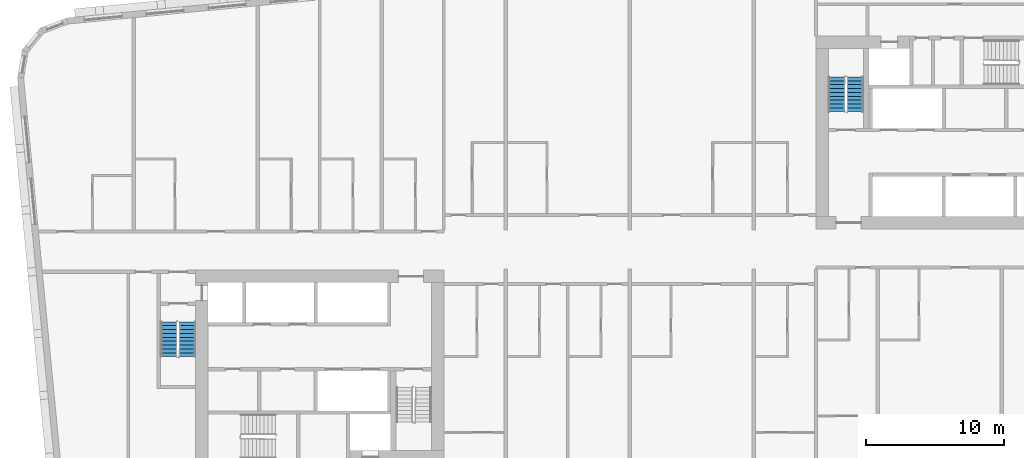
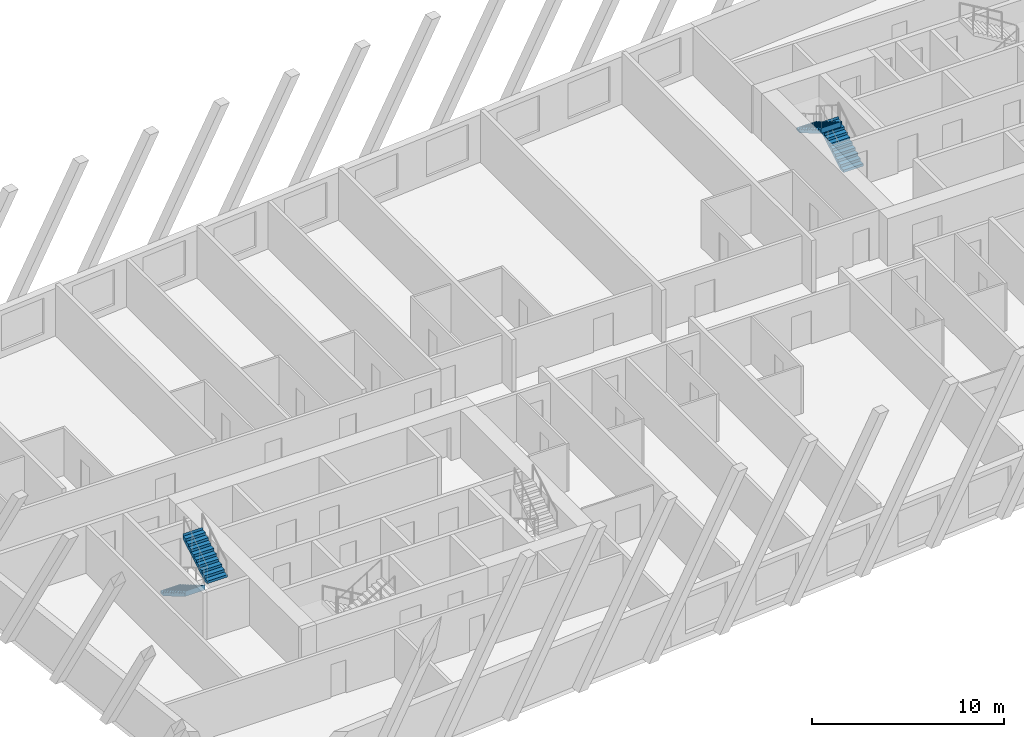
# One storey, part 10 of 13: 4 stair flights, 2 elements without a shape of their own.
"""IFC4 building model written with IfcOpenShell, lengths in metres."""

from ifc_helpers import new_model, si_unit, direction, frame, origin, place, context, subcontext, project, spatial, faceted_brep, material, type_object, element, aggregate, save


model = new_model("IFC4")

# Units and contexts
model_context = context("Model", 3, precision=1e-05, world=origin(), true_north=direction((0.0, 1.0)))
body_context = subcontext(model_context, "Body", "Model", "MODEL_VIEW")
ifc_project = project(units=[si_unit("LENGTHUNIT", "METRE"), si_unit("AREAUNIT", "SQUARE_METRE"), si_unit("VOLUMEUNIT", "CUBIC_METRE"), si_unit("PLANEANGLEUNIT", "RADIAN"), si_unit("MASSUNIT", "GRAM", prefix="KILO")], contexts=[model_context])

# Site, building, storey
site_placement = place(None, origin())
site = spatial("IfcSite", under=ifc_project, at=site_placement, CompositionType="ELEMENT")
building_placement = place(site_placement, origin())
building = spatial("IfcBuilding", under=site, at=building_placement, Name="Kajstack Hotel Tower", CompositionType="ELEMENT")
storey_placement = place(building_placement, frame((0.0, 0.0, 176.800048828125)))
storey = spatial("IfcBuildingStorey", under=building, at=storey_placement, Name="L41", CompositionType="ELEMENT", Elevation=176.800048828125)

# Stair, stair flights
ifc_material = material(Name="Concrete C40/50", Category="concrete")
stair_type = type_object("IfcStairType", Name="Exit stair 1200", PredefinedType="HALF_TURN_STAIR", material=ifc_material)
stair_1_placement = place(storey_placement, origin())
stair_1 = element("IfcStair", 1, at=stair_1_placement, inside=storey, type_object=stair_type, Name="L41 stair W1", PredefinedType="HALF_TURN_STAIR")
stair_flight_type = type_object("IfcStairFlightType", Name="Exit stair flight 1200", PredefinedType="STRAIGHT", material=ifc_material)
stair_flight_1_placement = place(storey_placement, frame((-33.449951171875, -5.25, 0.0), z_axis=(0.0, 0.0, 1.0), x_axis=(0.0, -1.0, 0.0)))
stair_flight_1 = element("IfcStairFlight", 2, at=stair_flight_1_placement, type_object=stair_flight_type, Name="W1 flight 1", NumberOfRisers=10, NumberOfTreads=9, PredefinedType="STRAIGHT", RiserHeight=0.165, TreadLength=0.28, context=body_context, shape_type="Brep", body=[
    faceted_brep([(0.295654296875, -0.60009765625, 0.0), (2.5205078125, -0.60009765625, 1.31103515625), (2.5205078125, -0.60009765625, 1.64990234375), (2.52001953125, -0.60009765625, 1.64990234375), (2.52001953125, -0.60009765625, 1.485107421875), (2.239990234375, -0.60009765625, 1.485107421875), (2.239990234375, -0.60009765625, 1.320068359375), (1.9599609375, -0.60009765625, 1.320068359375), (1.9599609375, -0.60009765625, 1.155029296875), (1.679931640625, -0.60009765625, 1.155029296875), (1.679931640625, -0.60009765625, 0.989990234375), (1.39990234375, -0.60009765625, 0.989990234375), (1.39990234375, -0.60009765625, 0.824951171875), (1.1201171875, -0.60009765625, 0.824951171875), (1.1201171875, -0.60009765625, 0.659912109375), (0.840087890625, -0.60009765625, 0.659912109375), (0.840087890625, -0.60009765625, 0.4951171875), (0.56005859375, -0.60009765625, 0.4951171875), (0.56005859375, -0.60009765625, 0.330078125), (0.280029296875, -0.60009765625, 0.330078125), (0.280029296875, -0.60009765625, 0.1650390625), (-0.00048828125, -0.60009765625, 0.1650390625), (-0.00048828125, -0.60009765625, 0.0), (-0.00048828125, 0.60009765625, 0.0), (-0.00048828125, 0.60009765625, 0.1650390625), (0.280029296875, 0.60009765625, 0.1650390625), (0.280029296875, 0.60009765625, 0.330078125), (0.56005859375, 0.60009765625, 0.330078125), (0.56005859375, 0.60009765625, 0.4951171875), (0.840087890625, 0.60009765625, 0.4951171875), (0.840087890625, 0.60009765625, 0.659912109375), (1.1201171875, 0.60009765625, 0.659912109375), (1.1201171875, 0.60009765625, 0.824951171875), (1.39990234375, 0.60009765625, 0.824951171875), (1.39990234375, 0.60009765625, 0.989990234375), (1.679931640625, 0.60009765625, 0.989990234375), (1.679931640625, 0.60009765625, 1.155029296875), (1.9599609375, 0.60009765625, 1.155029296875), (1.9599609375, 0.60009765625, 1.320068359375), (2.239990234375, 0.60009765625, 1.320068359375), (2.239990234375, 0.60009765625, 1.485107421875), (2.52001953125, 0.60009765625, 1.485107421875), (2.52001953125, 0.60009765625, 1.64990234375), (2.5205078125, 0.60009765625, 1.64990234375), (2.5205078125, 0.60009765625, 1.31103515625), (0.295654296875, 0.60009765625, 0.0), (-0.00048828125, -0.300048828125, 0.1650390625), (-0.00048828125, 0.0, 0.1650390625), (-0.00048828125, 0.300048828125, 0.1650390625), (-0.00048828125, 0.300048828125, 0.0), (-0.00048828125, 0.0, 0.0), (-0.00048828125, -0.300048828125, 0.0), (0.280029296875, -0.300048828125, 0.1650390625), (0.280029296875, 0.0, 0.1650390625), (0.280029296875, 0.300048828125, 0.1650390625), (0.280029296875, -0.300048828125, 0.330078125), (0.280029296875, 0.0, 0.330078125), (0.280029296875, 0.300048828125, 0.330078125), (0.56005859375, -0.300048828125, 0.330078125), (0.56005859375, 0.0, 0.330078125), (0.56005859375, 0.300048828125, 0.330078125), (0.56005859375, -0.300048828125, 0.4951171875), (0.56005859375, 0.0, 0.4951171875), (0.56005859375, 0.300048828125, 0.4951171875), (0.840087890625, -0.300048828125, 0.4951171875), (0.840087890625, 0.0, 0.4951171875), (0.840087890625, 0.300048828125, 0.4951171875), (0.840087890625, -0.300048828125, 0.659912109375), (0.840087890625, 0.0, 0.659912109375), (0.840087890625, 0.300048828125, 0.659912109375), (1.1201171875, -0.300048828125, 0.659912109375), (1.1201171875, 0.0, 0.659912109375), (1.1201171875, 0.300048828125, 0.659912109375), (1.1201171875, -0.300048828125, 0.824951171875), (1.1201171875, 0.0, 0.824951171875), (1.1201171875, 0.300048828125, 0.824951171875), (1.39990234375, -0.300048828125, 0.824951171875), (1.39990234375, 0.0, 0.824951171875), (1.39990234375, 0.300048828125, 0.824951171875), (1.39990234375, -0.300048828125, 0.989990234375), (1.39990234375, 0.0, 0.989990234375), (1.39990234375, 0.300048828125, 0.989990234375), (1.679931640625, -0.300048828125, 0.989990234375), (1.679931640625, 0.0, 0.989990234375), (1.679931640625, 0.300048828125, 0.989990234375), (1.679931640625, -0.300048828125, 1.155029296875), (1.679931640625, 0.0, 1.155029296875), (1.679931640625, 0.300048828125, 1.155029296875), (1.9599609375, -0.300048828125, 1.155029296875), (1.9599609375, 0.0, 1.155029296875), (1.9599609375, 0.300048828125, 1.155029296875), (1.9599609375, -0.300048828125, 1.320068359375), (1.9599609375, 0.0, 1.320068359375), (1.9599609375, 0.300048828125, 1.320068359375), (2.239990234375, -0.300048828125, 1.320068359375), (2.239990234375, 0.0, 1.320068359375), (2.239990234375, 0.300048828125, 1.320068359375), (2.239990234375, -0.300048828125, 1.485107421875), (2.239990234375, 0.0, 1.485107421875), (2.239990234375, 0.300048828125, 1.485107421875), (2.52001953125, -0.300048828125, 1.485107421875), (2.52001953125, 0.0, 1.485107421875), (2.52001953125, 0.300048828125, 1.485107421875), (2.52001953125, -0.300048828125, 1.64990234375), (2.52001953125, 0.0, 1.64990234375), (2.52001953125, 0.300048828125, 1.64990234375), (2.5205078125, -0.300048828125, 1.64990234375), (2.5205078125, 0.0, 1.64990234375), (2.5205078125, 0.300048828125, 1.64990234375), (2.5205078125, -0.300048828125, 1.31103515625), (2.5205078125, 0.0, 1.31103515625), (2.5205078125, 0.300048828125, 1.31103515625), (0.295654296875, -0.300048828125, 0.0), (0.295654296875, 0.0, 0.0), (0.295654296875, 0.300048828125, 0.0)], [[[0, 1, 2, 3, 4, 5, 6, 7, 8, 9, 10, 11, 12, 13, 14, 15, 16, 17, 18, 19, 20, 21, 22]], [[23, 24, 25, 26, 27, 28, 29, 30, 31, 32, 33, 34, 35, 36, 37, 38, 39, 40, 41, 42, 43, 44, 45]], [[21, 46, 47, 48, 24, 23, 49, 50, 51, 22]], [[20, 52, 53, 54, 25, 24, 48, 47, 46, 21]], [[19, 55, 56, 57, 26, 25, 54, 53, 52, 20]], [[18, 58, 59, 60, 27, 26, 57, 56, 55, 19]], [[17, 61, 62, 63, 28, 27, 60, 59, 58, 18]], [[16, 64, 65, 66, 29, 28, 63, 62, 61, 17]], [[15, 67, 68, 69, 30, 29, 66, 65, 64, 16]], [[14, 70, 71, 72, 31, 30, 69, 68, 67, 15]], [[13, 73, 74, 75, 32, 31, 72, 71, 70, 14]], [[12, 76, 77, 78, 33, 32, 75, 74, 73, 13]], [[11, 79, 80, 81, 34, 33, 78, 77, 76, 12]], [[10, 82, 83, 84, 35, 34, 81, 80, 79, 11]], [[9, 85, 86, 87, 36, 35, 84, 83, 82, 10]], [[8, 88, 89, 90, 37, 36, 87, 86, 85, 9]], [[7, 91, 92, 93, 38, 37, 90, 89, 88, 8]], [[6, 94, 95, 96, 39, 38, 93, 92, 91, 7]], [[5, 97, 98, 99, 40, 39, 96, 95, 94, 6]], [[4, 100, 101, 102, 41, 40, 99, 98, 97, 5]], [[3, 103, 104, 105, 42, 41, 102, 101, 100, 4]], [[2, 106, 107, 108, 43, 42, 105, 104, 103, 3]], [[1, 109, 110, 111, 44, 43, 108, 107, 106, 2]], [[0, 112, 113, 114, 45, 44, 111, 110, 109, 1]], [[22, 51, 50, 49, 23, 45, 114, 113, 112, 0]]]),
])
stair_flight_2_placement = place(storey_placement, frame((-32.10009765625, -7.77001953125, 1.64990234375), z_axis=(0.0, 0.0, 1.0), x_axis=(0.0, 1.0, 0.0)))
stair_flight_2 = element("IfcStairFlight", 3, at=stair_flight_2_placement, type_object=stair_flight_type, Name="W1 flight 2", NumberOfRisers=10, NumberOfTreads=9, PredefinedType="STRAIGHT", RiserHeight=0.165, TreadLength=0.28, context=body_context, shape_type="Brep", body=[
    faceted_brep([(0.295654296875, -0.60009765625, 0.0), (2.5205078125, -0.60009765625, 1.31103515625), (2.5205078125, -0.60009765625, 1.64990234375), (2.52001953125, -0.60009765625, 1.64990234375), (2.52001953125, -0.60009765625, 1.485107421875), (2.239990234375, -0.60009765625, 1.485107421875), (2.239990234375, -0.60009765625, 1.320068359375), (1.9599609375, -0.60009765625, 1.320068359375), (1.9599609375, -0.60009765625, 1.155029296875), (1.679931640625, -0.60009765625, 1.155029296875), (1.679931640625, -0.60009765625, 0.989990234375), (1.39990234375, -0.60009765625, 0.989990234375), (1.39990234375, -0.60009765625, 0.824951171875), (1.1201171875, -0.60009765625, 0.824951171875), (1.1201171875, -0.60009765625, 0.659912109375), (0.840087890625, -0.60009765625, 0.659912109375), (0.840087890625, -0.60009765625, 0.4951171875), (0.56005859375, -0.60009765625, 0.4951171875), (0.56005859375, -0.60009765625, 0.330078125), (0.280029296875, -0.60009765625, 0.330078125), (0.280029296875, -0.60009765625, 0.1650390625), (-0.00048828125, -0.60009765625, 0.1650390625), (-0.00048828125, -0.60009765625, 0.0), (-0.00048828125, 0.60009765625, 0.0), (-0.00048828125, 0.60009765625, 0.1650390625), (0.280029296875, 0.60009765625, 0.1650390625), (0.280029296875, 0.60009765625, 0.330078125), (0.56005859375, 0.60009765625, 0.330078125), (0.56005859375, 0.60009765625, 0.4951171875), (0.840087890625, 0.60009765625, 0.4951171875), (0.840087890625, 0.60009765625, 0.659912109375), (1.1201171875, 0.60009765625, 0.659912109375), (1.1201171875, 0.60009765625, 0.824951171875), (1.39990234375, 0.60009765625, 0.824951171875), (1.39990234375, 0.60009765625, 0.989990234375), (1.679931640625, 0.60009765625, 0.989990234375), (1.679931640625, 0.60009765625, 1.155029296875), (1.9599609375, 0.60009765625, 1.155029296875), (1.9599609375, 0.60009765625, 1.320068359375), (2.239990234375, 0.60009765625, 1.320068359375), (2.239990234375, 0.60009765625, 1.485107421875), (2.52001953125, 0.60009765625, 1.485107421875), (2.52001953125, 0.60009765625, 1.64990234375), (2.5205078125, 0.60009765625, 1.64990234375), (2.5205078125, 0.60009765625, 1.31103515625), (0.295654296875, 0.60009765625, 0.0), (-0.00048828125, -0.300048828125, 0.1650390625), (-0.00048828125, 0.0, 0.1650390625), (-0.00048828125, 0.300048828125, 0.1650390625), (-0.00048828125, 0.300048828125, 0.0), (-0.00048828125, 0.0, 0.0), (-0.00048828125, -0.300048828125, 0.0), (0.280029296875, -0.300048828125, 0.1650390625), (0.280029296875, 0.0, 0.1650390625), (0.280029296875, 0.300048828125, 0.1650390625), (0.280029296875, -0.300048828125, 0.330078125), (0.280029296875, 0.0, 0.330078125), (0.280029296875, 0.300048828125, 0.330078125), (0.56005859375, -0.300048828125, 0.330078125), (0.56005859375, 0.0, 0.330078125), (0.56005859375, 0.300048828125, 0.330078125), (0.56005859375, -0.300048828125, 0.4951171875), (0.56005859375, 0.0, 0.4951171875), (0.56005859375, 0.300048828125, 0.4951171875), (0.840087890625, -0.300048828125, 0.4951171875), (0.840087890625, 0.0, 0.4951171875), (0.840087890625, 0.300048828125, 0.4951171875), (0.840087890625, -0.300048828125, 0.659912109375), (0.840087890625, 0.0, 0.659912109375), (0.840087890625, 0.300048828125, 0.659912109375), (1.1201171875, -0.300048828125, 0.659912109375), (1.1201171875, 0.0, 0.659912109375), (1.1201171875, 0.300048828125, 0.659912109375), (1.1201171875, -0.300048828125, 0.824951171875), (1.1201171875, 0.0, 0.824951171875), (1.1201171875, 0.300048828125, 0.824951171875), (1.39990234375, -0.300048828125, 0.824951171875), (1.39990234375, 0.0, 0.824951171875), (1.39990234375, 0.300048828125, 0.824951171875), (1.39990234375, -0.300048828125, 0.989990234375), (1.39990234375, 0.0, 0.989990234375), (1.39990234375, 0.300048828125, 0.989990234375), (1.679931640625, -0.300048828125, 0.989990234375), (1.679931640625, 0.0, 0.989990234375), (1.679931640625, 0.300048828125, 0.989990234375), (1.679931640625, -0.300048828125, 1.155029296875), (1.679931640625, 0.0, 1.155029296875), (1.679931640625, 0.300048828125, 1.155029296875), (1.9599609375, -0.300048828125, 1.155029296875), (1.9599609375, 0.0, 1.155029296875), (1.9599609375, 0.300048828125, 1.155029296875), (1.9599609375, -0.300048828125, 1.320068359375), (1.9599609375, 0.0, 1.320068359375), (1.9599609375, 0.300048828125, 1.320068359375), (2.239990234375, -0.300048828125, 1.320068359375), (2.239990234375, 0.0, 1.320068359375), (2.239990234375, 0.300048828125, 1.320068359375), (2.239990234375, -0.300048828125, 1.485107421875), (2.239990234375, 0.0, 1.485107421875), (2.239990234375, 0.300048828125, 1.485107421875), (2.52001953125, -0.300048828125, 1.485107421875), (2.52001953125, 0.0, 1.485107421875), (2.52001953125, 0.300048828125, 1.485107421875), (2.52001953125, -0.300048828125, 1.64990234375), (2.52001953125, 0.0, 1.64990234375), (2.52001953125, 0.300048828125, 1.64990234375), (2.5205078125, -0.300048828125, 1.64990234375), (2.5205078125, 0.0, 1.64990234375), (2.5205078125, 0.300048828125, 1.64990234375), (2.5205078125, -0.300048828125, 1.31103515625), (2.5205078125, 0.0, 1.31103515625), (2.5205078125, 0.300048828125, 1.31103515625), (0.295654296875, -0.300048828125, 0.0), (0.295654296875, 0.0, 0.0), (0.295654296875, 0.300048828125, 0.0)], [[[0, 1, 2, 3, 4, 5, 6, 7, 8, 9, 10, 11, 12, 13, 14, 15, 16, 17, 18, 19, 20, 21, 22]], [[23, 24, 25, 26, 27, 28, 29, 30, 31, 32, 33, 34, 35, 36, 37, 38, 39, 40, 41, 42, 43, 44, 45]], [[21, 46, 47, 48, 24, 23, 49, 50, 51, 22]], [[20, 52, 53, 54, 25, 24, 48, 47, 46, 21]], [[19, 55, 56, 57, 26, 25, 54, 53, 52, 20]], [[18, 58, 59, 60, 27, 26, 57, 56, 55, 19]], [[17, 61, 62, 63, 28, 27, 60, 59, 58, 18]], [[16, 64, 65, 66, 29, 28, 63, 62, 61, 17]], [[15, 67, 68, 69, 30, 29, 66, 65, 64, 16]], [[14, 70, 71, 72, 31, 30, 69, 68, 67, 15]], [[13, 73, 74, 75, 32, 31, 72, 71, 70, 14]], [[12, 76, 77, 78, 33, 32, 75, 74, 73, 13]], [[11, 79, 80, 81, 34, 33, 78, 77, 76, 12]], [[10, 82, 83, 84, 35, 34, 81, 80, 79, 11]], [[9, 85, 86, 87, 36, 35, 84, 83, 82, 10]], [[8, 88, 89, 90, 37, 36, 87, 86, 85, 9]], [[7, 91, 92, 93, 38, 37, 90, 89, 88, 8]], [[6, 94, 95, 96, 39, 38, 93, 92, 91, 7]], [[5, 97, 98, 99, 40, 39, 96, 95, 94, 6]], [[4, 100, 101, 102, 41, 40, 99, 98, 97, 5]], [[3, 103, 104, 105, 42, 41, 102, 101, 100, 4]], [[2, 106, 107, 108, 43, 42, 105, 104, 103, 3]], [[1, 109, 110, 111, 44, 43, 108, 107, 106, 2]], [[0, 112, 113, 114, 45, 44, 111, 110, 109, 1]], [[22, 51, 50, 49, 23, 45, 114, 113, 112, 0]]]),
])
aggregate(stair_1, [stair_flight_1, stair_flight_2])

stair_2_placement = place(storey_placement, origin())
stair_2 = element("IfcStair", 4, at=stair_2_placement, inside=storey, type_object=stair_type, Name="L41 stair E2", PredefinedType="HALF_TURN_STAIR")
stair_flight_3_placement = place(storey_placement, frame((16.35009765625, 10.0, 0.0), z_axis=(0.0, 0.0, 1.0), x_axis=(0.0, 1.0, 0.0)))
stair_flight_3 = element("IfcStairFlight", 5, at=stair_flight_3_placement, type_object=stair_flight_type, Name="E2 flight 1", NumberOfRisers=10, NumberOfTreads=9, PredefinedType="STRAIGHT", RiserHeight=0.165, TreadLength=0.28, context=body_context, shape_type="Brep", body=[
    faceted_brep([(0.295654296875, -0.60009765625, 0.0), (2.5205078125, -0.60009765625, 1.31103515625), (2.5205078125, -0.60009765625, 1.64990234375), (2.52001953125, -0.60009765625, 1.64990234375), (2.52001953125, -0.60009765625, 1.485107421875), (2.239990234375, -0.60009765625, 1.485107421875), (2.239990234375, -0.60009765625, 1.320068359375), (1.9599609375, -0.60009765625, 1.320068359375), (1.9599609375, -0.60009765625, 1.155029296875), (1.679931640625, -0.60009765625, 1.155029296875), (1.679931640625, -0.60009765625, 0.989990234375), (1.39990234375, -0.60009765625, 0.989990234375), (1.39990234375, -0.60009765625, 0.824951171875), (1.1201171875, -0.60009765625, 0.824951171875), (1.1201171875, -0.60009765625, 0.659912109375), (0.840087890625, -0.60009765625, 0.659912109375), (0.840087890625, -0.60009765625, 0.4951171875), (0.56005859375, -0.60009765625, 0.4951171875), (0.56005859375, -0.60009765625, 0.330078125), (0.280029296875, -0.60009765625, 0.330078125), (0.280029296875, -0.60009765625, 0.1650390625), (-0.00048828125, -0.60009765625, 0.1650390625), (-0.00048828125, -0.60009765625, 0.0), (-0.00048828125, 0.60009765625, 0.0), (-0.00048828125, 0.60009765625, 0.1650390625), (0.280029296875, 0.60009765625, 0.1650390625), (0.280029296875, 0.60009765625, 0.330078125), (0.56005859375, 0.60009765625, 0.330078125), (0.56005859375, 0.60009765625, 0.4951171875), (0.840087890625, 0.60009765625, 0.4951171875), (0.840087890625, 0.60009765625, 0.659912109375), (1.1201171875, 0.60009765625, 0.659912109375), (1.1201171875, 0.60009765625, 0.824951171875), (1.39990234375, 0.60009765625, 0.824951171875), (1.39990234375, 0.60009765625, 0.989990234375), (1.679931640625, 0.60009765625, 0.989990234375), (1.679931640625, 0.60009765625, 1.155029296875), (1.9599609375, 0.60009765625, 1.155029296875), (1.9599609375, 0.60009765625, 1.320068359375), (2.239990234375, 0.60009765625, 1.320068359375), (2.239990234375, 0.60009765625, 1.485107421875), (2.52001953125, 0.60009765625, 1.485107421875), (2.52001953125, 0.60009765625, 1.64990234375), (2.5205078125, 0.60009765625, 1.64990234375), (2.5205078125, 0.60009765625, 1.31103515625), (0.295654296875, 0.60009765625, 0.0), (-0.00048828125, -0.300048828125, 0.1650390625), (-0.00048828125, 0.0, 0.1650390625), (-0.00048828125, 0.300048828125, 0.1650390625), (-0.00048828125, 0.300048828125, 0.0), (-0.00048828125, 0.0, 0.0), (-0.00048828125, -0.300048828125, 0.0), (0.280029296875, -0.300048828125, 0.1650390625), (0.280029296875, 0.0, 0.1650390625), (0.280029296875, 0.300048828125, 0.1650390625), (0.280029296875, -0.300048828125, 0.330078125), (0.280029296875, 0.0, 0.330078125), (0.280029296875, 0.300048828125, 0.330078125), (0.56005859375, -0.300048828125, 0.330078125), (0.56005859375, 0.0, 0.330078125), (0.56005859375, 0.300048828125, 0.330078125), (0.56005859375, -0.300048828125, 0.4951171875), (0.56005859375, 0.0, 0.4951171875), (0.56005859375, 0.300048828125, 0.4951171875), (0.840087890625, -0.300048828125, 0.4951171875), (0.840087890625, 0.0, 0.4951171875), (0.840087890625, 0.300048828125, 0.4951171875), (0.840087890625, -0.300048828125, 0.659912109375), (0.840087890625, 0.0, 0.659912109375), (0.840087890625, 0.300048828125, 0.659912109375), (1.1201171875, -0.300048828125, 0.659912109375), (1.1201171875, 0.0, 0.659912109375), (1.1201171875, 0.300048828125, 0.659912109375), (1.1201171875, -0.300048828125, 0.824951171875), (1.1201171875, 0.0, 0.824951171875), (1.1201171875, 0.300048828125, 0.824951171875), (1.39990234375, -0.300048828125, 0.824951171875), (1.39990234375, 0.0, 0.824951171875), (1.39990234375, 0.300048828125, 0.824951171875), (1.39990234375, -0.300048828125, 0.989990234375), (1.39990234375, 0.0, 0.989990234375), (1.39990234375, 0.300048828125, 0.989990234375), (1.679931640625, -0.300048828125, 0.989990234375), (1.679931640625, 0.0, 0.989990234375), (1.679931640625, 0.300048828125, 0.989990234375), (1.679931640625, -0.300048828125, 1.155029296875), (1.679931640625, 0.0, 1.155029296875), (1.679931640625, 0.300048828125, 1.155029296875), (1.9599609375, -0.300048828125, 1.155029296875), (1.9599609375, 0.0, 1.155029296875), (1.9599609375, 0.300048828125, 1.155029296875), (1.9599609375, -0.300048828125, 1.320068359375), (1.9599609375, 0.0, 1.320068359375), (1.9599609375, 0.300048828125, 1.320068359375), (2.239990234375, -0.300048828125, 1.320068359375), (2.239990234375, 0.0, 1.320068359375), (2.239990234375, 0.300048828125, 1.320068359375), (2.239990234375, -0.300048828125, 1.485107421875), (2.239990234375, 0.0, 1.485107421875), (2.239990234375, 0.300048828125, 1.485107421875), (2.52001953125, -0.300048828125, 1.485107421875), (2.52001953125, 0.0, 1.485107421875), (2.52001953125, 0.300048828125, 1.485107421875), (2.52001953125, -0.300048828125, 1.64990234375), (2.52001953125, 0.0, 1.64990234375), (2.52001953125, 0.300048828125, 1.64990234375), (2.5205078125, -0.300048828125, 1.64990234375), (2.5205078125, 0.0, 1.64990234375), (2.5205078125, 0.300048828125, 1.64990234375), (2.5205078125, -0.300048828125, 1.31103515625), (2.5205078125, 0.0, 1.31103515625), (2.5205078125, 0.300048828125, 1.31103515625), (0.295654296875, -0.300048828125, 0.0), (0.295654296875, 0.0, 0.0), (0.295654296875, 0.300048828125, 0.0)], [[[0, 1, 2, 3, 4, 5, 6, 7, 8, 9, 10, 11, 12, 13, 14, 15, 16, 17, 18, 19, 20, 21, 22]], [[23, 24, 25, 26, 27, 28, 29, 30, 31, 32, 33, 34, 35, 36, 37, 38, 39, 40, 41, 42, 43, 44, 45]], [[21, 46, 47, 48, 24, 23, 49, 50, 51, 22]], [[20, 52, 53, 54, 25, 24, 48, 47, 46, 21]], [[19, 55, 56, 57, 26, 25, 54, 53, 52, 20]], [[18, 58, 59, 60, 27, 26, 57, 56, 55, 19]], [[17, 61, 62, 63, 28, 27, 60, 59, 58, 18]], [[16, 64, 65, 66, 29, 28, 63, 62, 61, 17]], [[15, 67, 68, 69, 30, 29, 66, 65, 64, 16]], [[14, 70, 71, 72, 31, 30, 69, 68, 67, 15]], [[13, 73, 74, 75, 32, 31, 72, 71, 70, 14]], [[12, 76, 77, 78, 33, 32, 75, 74, 73, 13]], [[11, 79, 80, 81, 34, 33, 78, 77, 76, 12]], [[10, 82, 83, 84, 35, 34, 81, 80, 79, 11]], [[9, 85, 86, 87, 36, 35, 84, 83, 82, 10]], [[8, 88, 89, 90, 37, 36, 87, 86, 85, 9]], [[7, 91, 92, 93, 38, 37, 90, 89, 88, 8]], [[6, 94, 95, 96, 39, 38, 93, 92, 91, 7]], [[5, 97, 98, 99, 40, 39, 96, 95, 94, 6]], [[4, 100, 101, 102, 41, 40, 99, 98, 97, 5]], [[3, 103, 104, 105, 42, 41, 102, 101, 100, 4]], [[2, 106, 107, 108, 43, 42, 105, 104, 103, 3]], [[1, 109, 110, 111, 44, 43, 108, 107, 106, 2]], [[0, 112, 113, 114, 45, 44, 111, 110, 109, 1]], [[22, 51, 50, 49, 23, 45, 114, 113, 112, 0]]]),
])
stair_flight_4_placement = place(storey_placement, frame((15.0, 12.52001953125, 1.64990234375), z_axis=(0.0, 0.0, 1.0), x_axis=(0.0, -1.0, 0.0)))
stair_flight_4 = element("IfcStairFlight", 6, at=stair_flight_4_placement, type_object=stair_flight_type, Name="E2 flight 2", NumberOfRisers=10, NumberOfTreads=9, PredefinedType="STRAIGHT", RiserHeight=0.165, TreadLength=0.28, context=body_context, shape_type="Brep", body=[
    faceted_brep([(0.295654296875, -0.60009765625, 0.0), (2.5205078125, -0.60009765625, 1.31103515625), (2.5205078125, -0.60009765625, 1.64990234375), (2.52001953125, -0.60009765625, 1.64990234375), (2.52001953125, -0.60009765625, 1.485107421875), (2.239990234375, -0.60009765625, 1.485107421875), (2.239990234375, -0.60009765625, 1.320068359375), (1.9599609375, -0.60009765625, 1.320068359375), (1.9599609375, -0.60009765625, 1.155029296875), (1.679931640625, -0.60009765625, 1.155029296875), (1.679931640625, -0.60009765625, 0.989990234375), (1.39990234375, -0.60009765625, 0.989990234375), (1.39990234375, -0.60009765625, 0.824951171875), (1.1201171875, -0.60009765625, 0.824951171875), (1.1201171875, -0.60009765625, 0.659912109375), (0.840087890625, -0.60009765625, 0.659912109375), (0.840087890625, -0.60009765625, 0.4951171875), (0.56005859375, -0.60009765625, 0.4951171875), (0.56005859375, -0.60009765625, 0.330078125), (0.280029296875, -0.60009765625, 0.330078125), (0.280029296875, -0.60009765625, 0.1650390625), (-0.00048828125, -0.60009765625, 0.1650390625), (-0.00048828125, -0.60009765625, 0.0), (-0.00048828125, 0.60009765625, 0.0), (-0.00048828125, 0.60009765625, 0.1650390625), (0.280029296875, 0.60009765625, 0.1650390625), (0.280029296875, 0.60009765625, 0.330078125), (0.56005859375, 0.60009765625, 0.330078125), (0.56005859375, 0.60009765625, 0.4951171875), (0.840087890625, 0.60009765625, 0.4951171875), (0.840087890625, 0.60009765625, 0.659912109375), (1.1201171875, 0.60009765625, 0.659912109375), (1.1201171875, 0.60009765625, 0.824951171875), (1.39990234375, 0.60009765625, 0.824951171875), (1.39990234375, 0.60009765625, 0.989990234375), (1.679931640625, 0.60009765625, 0.989990234375), (1.679931640625, 0.60009765625, 1.155029296875), (1.9599609375, 0.60009765625, 1.155029296875), (1.9599609375, 0.60009765625, 1.320068359375), (2.239990234375, 0.60009765625, 1.320068359375), (2.239990234375, 0.60009765625, 1.485107421875), (2.52001953125, 0.60009765625, 1.485107421875), (2.52001953125, 0.60009765625, 1.64990234375), (2.5205078125, 0.60009765625, 1.64990234375), (2.5205078125, 0.60009765625, 1.31103515625), (0.295654296875, 0.60009765625, 0.0), (-0.00048828125, -0.300048828125, 0.1650390625), (-0.00048828125, 0.0, 0.1650390625), (-0.00048828125, 0.300048828125, 0.1650390625), (-0.00048828125, 0.300048828125, 0.0), (-0.00048828125, 0.0, 0.0), (-0.00048828125, -0.300048828125, 0.0), (0.280029296875, -0.300048828125, 0.1650390625), (0.280029296875, 0.0, 0.1650390625), (0.280029296875, 0.300048828125, 0.1650390625), (0.280029296875, -0.300048828125, 0.330078125), (0.280029296875, 0.0, 0.330078125), (0.280029296875, 0.300048828125, 0.330078125), (0.56005859375, -0.300048828125, 0.330078125), (0.56005859375, 0.0, 0.330078125), (0.56005859375, 0.300048828125, 0.330078125), (0.56005859375, -0.300048828125, 0.4951171875), (0.56005859375, 0.0, 0.4951171875), (0.56005859375, 0.300048828125, 0.4951171875), (0.840087890625, -0.300048828125, 0.4951171875), (0.840087890625, 0.0, 0.4951171875), (0.840087890625, 0.300048828125, 0.4951171875), (0.840087890625, -0.300048828125, 0.659912109375), (0.840087890625, 0.0, 0.659912109375), (0.840087890625, 0.300048828125, 0.659912109375), (1.1201171875, -0.300048828125, 0.659912109375), (1.1201171875, 0.0, 0.659912109375), (1.1201171875, 0.300048828125, 0.659912109375), (1.1201171875, -0.300048828125, 0.824951171875), (1.1201171875, 0.0, 0.824951171875), (1.1201171875, 0.300048828125, 0.824951171875), (1.39990234375, -0.300048828125, 0.824951171875), (1.39990234375, 0.0, 0.824951171875), (1.39990234375, 0.300048828125, 0.824951171875), (1.39990234375, -0.300048828125, 0.989990234375), (1.39990234375, 0.0, 0.989990234375), (1.39990234375, 0.300048828125, 0.989990234375), (1.679931640625, -0.300048828125, 0.989990234375), (1.679931640625, 0.0, 0.989990234375), (1.679931640625, 0.300048828125, 0.989990234375), (1.679931640625, -0.300048828125, 1.155029296875), (1.679931640625, 0.0, 1.155029296875), (1.679931640625, 0.300048828125, 1.155029296875), (1.9599609375, -0.300048828125, 1.155029296875), (1.9599609375, 0.0, 1.155029296875), (1.9599609375, 0.300048828125, 1.155029296875), (1.9599609375, -0.300048828125, 1.320068359375), (1.9599609375, 0.0, 1.320068359375), (1.9599609375, 0.300048828125, 1.320068359375), (2.239990234375, -0.300048828125, 1.320068359375), (2.239990234375, 0.0, 1.320068359375), (2.239990234375, 0.300048828125, 1.320068359375), (2.239990234375, -0.300048828125, 1.485107421875), (2.239990234375, 0.0, 1.485107421875), (2.239990234375, 0.300048828125, 1.485107421875), (2.52001953125, -0.300048828125, 1.485107421875), (2.52001953125, 0.0, 1.485107421875), (2.52001953125, 0.300048828125, 1.485107421875), (2.52001953125, -0.300048828125, 1.64990234375), (2.52001953125, 0.0, 1.64990234375), (2.52001953125, 0.300048828125, 1.64990234375), (2.5205078125, -0.300048828125, 1.64990234375), (2.5205078125, 0.0, 1.64990234375), (2.5205078125, 0.300048828125, 1.64990234375), (2.5205078125, -0.300048828125, 1.31103515625), (2.5205078125, 0.0, 1.31103515625), (2.5205078125, 0.300048828125, 1.31103515625), (0.295654296875, -0.300048828125, 0.0), (0.295654296875, 0.0, 0.0), (0.295654296875, 0.300048828125, 0.0)], [[[0, 1, 2, 3, 4, 5, 6, 7, 8, 9, 10, 11, 12, 13, 14, 15, 16, 17, 18, 19, 20, 21, 22]], [[23, 24, 25, 26, 27, 28, 29, 30, 31, 32, 33, 34, 35, 36, 37, 38, 39, 40, 41, 42, 43, 44, 45]], [[21, 46, 47, 48, 24, 23, 49, 50, 51, 22]], [[20, 52, 53, 54, 25, 24, 48, 47, 46, 21]], [[19, 55, 56, 57, 26, 25, 54, 53, 52, 20]], [[18, 58, 59, 60, 27, 26, 57, 56, 55, 19]], [[17, 61, 62, 63, 28, 27, 60, 59, 58, 18]], [[16, 64, 65, 66, 29, 28, 63, 62, 61, 17]], [[15, 67, 68, 69, 30, 29, 66, 65, 64, 16]], [[14, 70, 71, 72, 31, 30, 69, 68, 67, 15]], [[13, 73, 74, 75, 32, 31, 72, 71, 70, 14]], [[12, 76, 77, 78, 33, 32, 75, 74, 73, 13]], [[11, 79, 80, 81, 34, 33, 78, 77, 76, 12]], [[10, 82, 83, 84, 35, 34, 81, 80, 79, 11]], [[9, 85, 86, 87, 36, 35, 84, 83, 82, 10]], [[8, 88, 89, 90, 37, 36, 87, 86, 85, 9]], [[7, 91, 92, 93, 38, 37, 90, 89, 88, 8]], [[6, 94, 95, 96, 39, 38, 93, 92, 91, 7]], [[5, 97, 98, 99, 40, 39, 96, 95, 94, 6]], [[4, 100, 101, 102, 41, 40, 99, 98, 97, 5]], [[3, 103, 104, 105, 42, 41, 102, 101, 100, 4]], [[2, 106, 107, 108, 43, 42, 105, 104, 103, 3]], [[1, 109, 110, 111, 44, 43, 108, 107, 106, 2]], [[0, 112, 113, 114, 45, 44, 111, 110, 109, 1]], [[22, 51, 50, 49, 23, 45, 114, 113, 112, 0]]]),
])
aggregate(stair_2, [stair_flight_3, stair_flight_4])

save(model, "model.ifc")
